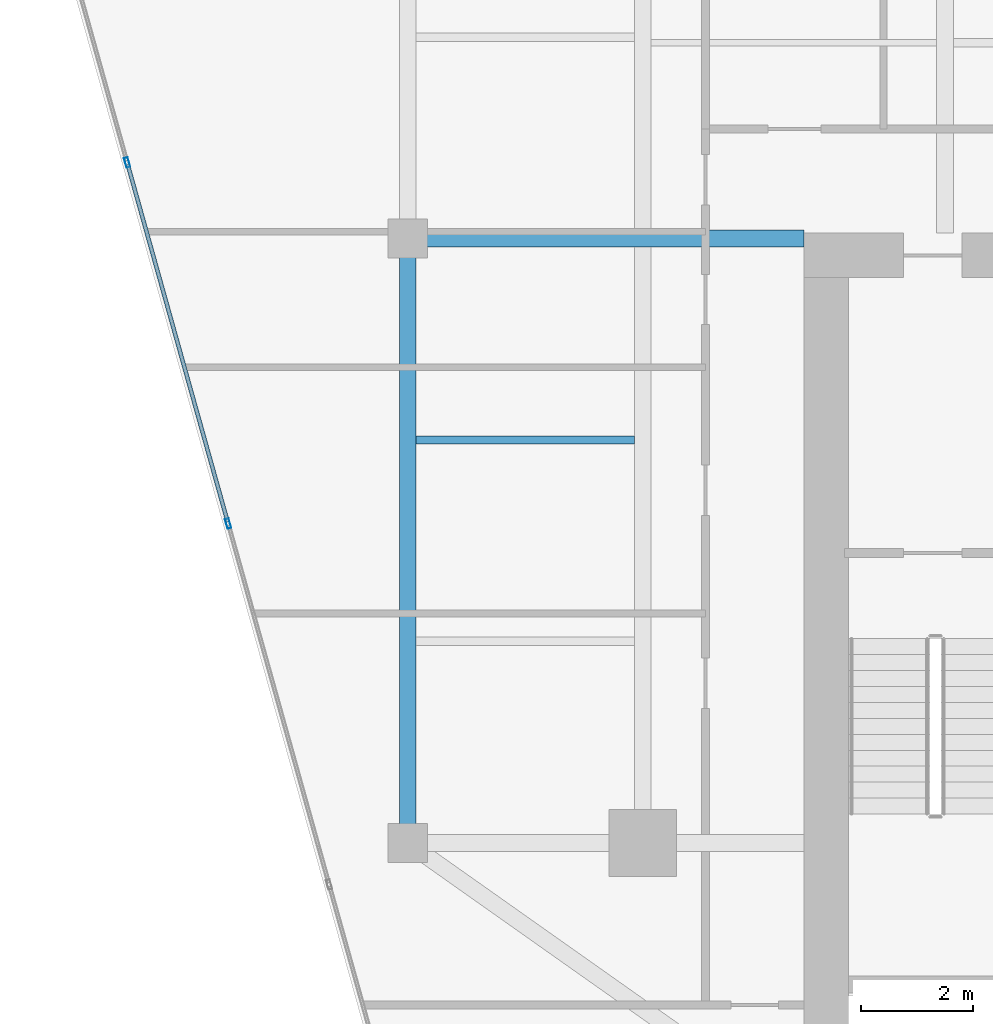
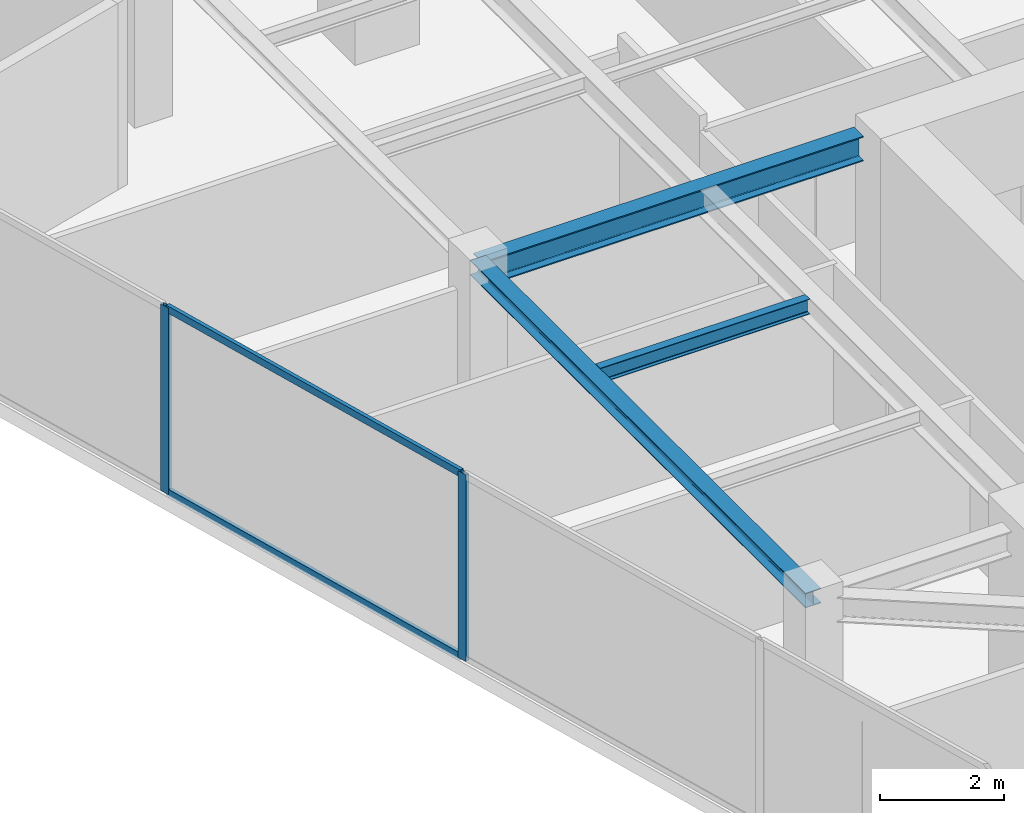
# One storey, part 5 of 21: 4 members, 3 beams, 1 element without a shape of its own.
"""IFC4 building model written with IfcOpenShell, lengths in metres."""

import ifcopenshell
import ifcopenshell.guid

model = None  # the IFC model being written
_history = None  # IfcOwnerHistory: only IFC2X3 demands one
_inside = {}  # id of a spatial element -> (the spatial element, [elements in it])
_under = {}  # id of a project, library or spatial element -> (it, [spatial elements below it])
_declared = {}  # id of a project -> (the project, [libraries it declares])
_typed = {}  # id of a type object -> (the type object, [elements of that type])
_made_of = {}  # id of a material, layer set ... -> (it, [elements and type objects made of it])


def new_model(schema):
    """Start an empty IFC model of exactly this schema.

    Asked for "IFC4X3", IfcOpenShell would pick the latest addendum, in which some entities
    have other attributes; the version numbers below select the first issue.
    IFC2X3 requires an IfcOwnerHistory on every rooted entity: one is made here for all.
    """
    global model, _history
    if schema == "IFC4X3":
        model = ifcopenshell.file(schema_version=(4, 3, 0, 0))
    else:
        model = ifcopenshell.file(schema=schema)
    _inside.clear()
    _under.clear()
    _declared.clear()
    _typed.clear()
    _made_of.clear()
    _history = None
    if model.schema == "IFC2X3":
        org = make("IfcOrganization", Name="unknown")
        user = make(
            "IfcPersonAndOrganization",
            ThePerson=make("IfcPerson", FamilyName="unknown"),
            TheOrganization=org,
        )
        app = make(
            "IfcApplication",
            ApplicationDeveloper=org,
            Version="unknown",
            ApplicationFullName="unknown",
            ApplicationIdentifier="unknown",
        )
        _history = make(
            "IfcOwnerHistory",
            OwningUser=user,
            OwningApplication=app,
            ChangeAction="ADDED",
            CreationDate=0,
        )
    return model


def make(cls, **values):
    """One entity of the class cls with the attributes given. An attribute that is None is left unset."""
    return model.create_entity(
        cls, **{name: value for name, value in values.items() if value is not None}
    )


def rooted(cls, **values):
    """An entity with a GlobalId (a new one), such as an element, a storey or a relation."""
    return make(cls, GlobalId=ifcopenshell.guid.new(), OwnerHistory=_history, **values)


def si_unit(unit_type, name, prefix=None):
    """IfcSIUnit, for example si_unit("LENGTHUNIT", "METRE", prefix="MILLI")."""
    return make("IfcSIUnit", UnitType=unit_type, Prefix=prefix, Name=name)


def assignment(units):
    """IfcUnitAssignment: the units of a project."""
    return None if units is None else make("IfcUnitAssignment", Units=units)


def point(xyz):
    """IfcCartesianPoint."""
    return None if xyz is None else make("IfcCartesianPoint", Coordinates=xyz)


def direction(xyz):
    """IfcDirection."""
    return None if xyz is None else make("IfcDirection", DirectionRatios=xyz)


def frame(location, z_axis=None, x_axis=None):
    """IfcAxis2Placement3D, a coordinate frame: its origin and axes. An axis left out is left unset."""
    return make(
        "IfcAxis2Placement3D",
        Location=point(location),
        Axis=direction(z_axis),
        RefDirection=direction(x_axis),
    )


def frame_2d(location, x_axis=None):
    """IfcAxis2Placement2D, a coordinate frame in the plane: its origin and x axis."""
    return make(
        "IfcAxis2Placement2D", Location=point(location), RefDirection=direction(x_axis)
    )


def origin():
    """The frame at (0, 0, 0) with its axes left unset."""
    return frame((0.0, 0.0, 0.0))


def origin_2d():
    """The frame at (0, 0) in the plane with its x axis left unset."""
    return frame_2d((0.0, 0.0))


def place(relative_to, where):
    """IfcLocalPlacement: puts the frame where relative to a parent placement (None: the world)."""
    return make(
        "IfcLocalPlacement", PlacementRelTo=relative_to, RelativePlacement=where
    )


def context(
    kind, dimensions, precision=None, world=None, true_north=None, identifier=None
):
    """IfcGeometricRepresentationContext, for example the 3D "Model" context."""
    return make(
        "IfcGeometricRepresentationContext",
        ContextIdentifier=identifier,
        ContextType=kind,
        CoordinateSpaceDimension=dimensions,
        Precision=precision,
        WorldCoordinateSystem=world,
        TrueNorth=true_north,
    )


def subcontext(parent, identifier, kind, view, scale=None):
    """IfcGeometricRepresentationSubContext, for example "Body" below "Model"."""
    return make(
        "IfcGeometricRepresentationSubContext",
        ContextIdentifier=identifier,
        ContextType=kind,
        ParentContext=parent,
        TargetScale=scale,
        TargetView=view,
    )


def project(units=None, contexts=None):
    """IfcProject with its units and contexts."""
    return rooted(
        "IfcProject",
        Name="project",
        RepresentationContexts=contexts,
        UnitsInContext=assignment(units),
    )


def spatial(cls, under=None, at=None, **own):
    """A site, building, storey or space (cls), placed at a placement, below another one or the project."""
    s = rooted(cls, ObjectPlacement=at, **own)
    if under is not None:
        _under.setdefault(under.id(), (under, []))[1].append(s)
    return s


def profile(cls, at=None, kind="AREA", **sizes):
    """A parametric profile (cls). Its sizes go by their IFC names, for example OverallWidth=200.0."""
    return make(cls, ProfileType=kind, Position=at, **sizes)


def hollow_rectangle(**sizes):
    """IfcRectangleHollowProfileDef."""
    return profile("IfcRectangleHollowProfileDef", **sizes)


def i_section(**sizes):
    """IfcIShapeProfileDef."""
    return profile("IfcIShapeProfileDef", **sizes)


def extrude(swept, where, along, depth):
    """IfcExtrudedAreaSolid: the profile swept, set in the frame where, extruded along a direction by depth."""
    return make(
        "IfcExtrudedAreaSolid",
        SweptArea=swept,
        Position=where,
        ExtrudedDirection=direction(along),
        Depth=depth,
    )


def shape(context_of_items, identifier, shape_type, items):
    """IfcShapeRepresentation: the items that make up one representation, for example the "Body"."""
    return make(
        "IfcShapeRepresentation",
        ContextOfItems=context_of_items,
        RepresentationIdentifier=identifier,
        RepresentationType=shape_type,
        Items=items,
    )


def source(mapping_origin, context_of_items, identifier, shape_type, items):
    """IfcRepresentationMap: a shape defined once, which mapped items show again and again."""
    return make(
        "IfcRepresentationMap",
        MappingOrigin=mapping_origin,
        MappedRepresentation=shape(context_of_items, identifier, shape_type, items),
    )


def transform(
    local_origin,
    x_axis=None,
    y_axis=None,
    z_axis=None,
    scale=None,
    scale2=None,
    scale3=None,
    uniform=True,
):
    """IfcCartesianTransformationOperator3D, or its non-uniform kind. x_axis, y_axis, z_axis: its Axis1, 2, 3."""
    if uniform:
        return make(
            "IfcCartesianTransformationOperator3D",
            Axis1=direction(x_axis),
            Axis2=direction(y_axis),
            LocalOrigin=point(local_origin),
            Scale=scale,
            Axis3=direction(z_axis),
        )
    return make(
        "IfcCartesianTransformationOperator3DnonUniform",
        Axis1=direction(x_axis),
        Axis2=direction(y_axis),
        LocalOrigin=point(local_origin),
        Scale=scale,
        Axis3=direction(z_axis),
        Scale2=scale2,
        Scale3=scale3,
    )


def mapped(mapping_source, mapping_target):
    """IfcMappedItem: shows the shape of a source again, moved by a transform."""
    return make(
        "IfcMappedItem", MappingSource=mapping_source, MappingTarget=mapping_target
    )


def material(Name=None, Category=None):
    """IfcMaterial."""
    return make("IfcMaterial", Name=Name, Category=Category)


def material_profile(
    of_material, cross_section, Name=None, Category=None, Priority=None
):
    """IfcMaterialProfile: a cross section and its material."""
    return make(
        "IfcMaterialProfile",
        Name=Name,
        Material=of_material,
        Profile=cross_section,
        Priority=Priority,
        Category=Category,
    )


def profile_set(profiles, Name=None, composite=None):
    """IfcMaterialProfileSet."""
    return make(
        "IfcMaterialProfileSet",
        Name=Name,
        MaterialProfiles=profiles,
        CompositeProfile=composite,
    )


def made_of(thing, what):
    """Note that an element or type object is made of a material, layer set ...; save() writes the relation."""
    if what is not None:
        _made_of.setdefault(what.id(), (what, []))[1].append(thing)
    return thing


def type_object(cls, material=None, **own):
    """A type object (cls), such as IfcWallType, which elements share."""
    return made_of(rooted(cls, **own), material)


def type_shapes(of_type, sources):
    """Give a type object the sources (RepresentationMaps) that its elements show as mapped items."""
    of_type.RepresentationMaps = sources


def element(
    cls,
    number,
    at=None,
    inside=None,
    cuts=None,
    type_object=None,
    material=None,
    context=None,
    identifier="Body",
    shape_type=None,
    held_by="IfcProductDefinitionShape",
    body=None,
    shapes=None,
    **own,
):
    """One element of the class cls, such as IfcWall. Its Tag is "e" and its number.

    at: its placement. inside: the storey or other place that contains it. cuts: it is an
    opening in that element (IfcRelVoidsElement). A single representation is given by context,
    identifier, shape_type and body (its items); several are given by shapes. held_by: the class
    of the entity that holds the representations. save() writes the other relations.
    """
    e = rooted(cls, Tag="e%d" % number, ObjectPlacement=at, **own)
    if body is not None:
        shapes = [shape(context, identifier, shape_type, body)]
    if shapes is not None:
        e.Representation = make(held_by, Representations=shapes)
    if inside is not None:
        _inside.setdefault(inside.id(), (inside, []))[1].append(e)
    if cuts is not None:
        rooted(
            "IfcRelVoidsElement", RelatingBuildingElement=cuts, RelatedOpeningElement=e
        )
    if type_object is not None:
        _typed.setdefault(type_object.id(), (type_object, []))[1].append(e)
    return made_of(e, material)


def aggregate(whole, parts):
    """IfcRelAggregates: a whole, such as a stair, and the parts it consists of."""
    return rooted("IfcRelAggregates", RelatingObject=whole, RelatedObjects=parts)


def save(model, path):
    """Write the relations noted so far, then the file.

    IfcRelAggregates (storeys below a building ...), IfcRelContainedInSpatialStructure (elements
    in a storey), IfcRelDefinesByType, IfcRelAssociatesMaterial and IfcRelDeclares: one each for
    every whole, place, type object, material and project.
    """
    for whole, parts in _under.values():
        aggregate(whole, parts)
    for where, things in _inside.values():
        rooted(
            "IfcRelContainedInSpatialStructure",
            RelatedElements=things,
            RelatingStructure=where,
        )
    for kind, things in _typed.values():
        rooted("IfcRelDefinesByType", RelatedObjects=things, RelatingType=kind)
    for what, things in _made_of.values():
        rooted("IfcRelAssociatesMaterial", RelatedObjects=things, RelatingMaterial=what)
    for by, libraries in _declared.values():
        rooted("IfcRelDeclares", RelatingContext=by, RelatedDefinitions=libraries)
    model.write(path)


model = new_model("IFC4")

# Units and contexts
model_context = context("Model", 3, precision=1e-05, world=origin(), true_north=direction((0.0, 1.0)))
body_context = subcontext(model_context, "Body", "Model", "MODEL_VIEW")
ifc_project = project(units=[si_unit("LENGTHUNIT", "METRE"), si_unit("AREAUNIT", "SQUARE_METRE"), si_unit("VOLUMEUNIT", "CUBIC_METRE"), si_unit("PLANEANGLEUNIT", "RADIAN"), si_unit("MASSUNIT", "GRAM", prefix="KILO")], contexts=[model_context])

# Site, building, storey
site_placement = place(None, origin())
site = spatial("IfcSite", under=ifc_project, at=site_placement, CompositionType="ELEMENT")
building_placement = place(site_placement, origin())
building = spatial("IfcBuilding", under=site, at=building_placement, Name="Krantzveldt Concourse Tower", CompositionType="ELEMENT")
storey_placement = place(building_placement, frame((0.0, 0.0, 347.449951171875)))
storey = spatial("IfcBuildingStorey", under=building, at=storey_placement, Name="L85", CompositionType="ELEMENT", Elevation=347.449951171875)

# Beams
ifc_material_1 = material(Name="Steel S355JR", Category="steel")
ifc_material_profile_1 = material_profile(ifc_material_1, i_section(OverallWidth=0.300048828125, OverallDepth=0.489990234375, WebThickness=0.011962890625, FlangeThickness=0.02294921875, FilletRadius=0.027099609375, at=origin_2d()), Name="Steel S355JR", Category="steel")
ifc_profile_set_1 = profile_set([ifc_material_profile_1], Name="Steel S355JR - HEA 500")
beam_type_1 = type_object("IfcBeamType", Name="BM-B-HEA500", PredefinedType="BEAM", material=ifc_profile_set_1)
shared_shape_1 = source(origin(), body_context, "Body", "SweptSolid", [
    extrude(i_section(OverallWidth=0.300048828125, OverallDepth=0.489990234375, WebThickness=0.011962890625, FlangeThickness=0.02294921875, FilletRadius=0.027099609375, at=origin_2d()), origin(), (0.0, 0.0, 1.0), 7.080078125),
])
type_shapes(beam_type_1, [shared_shape_1])
beam_1_placement = place(storey_placement, frame((21.0, 26.699951171875, 3.425048828125), z_axis=(1.0, 0.0, 0.0), x_axis=(0.0, 1.0, 0.0)))
element("IfcBeam", 1, at=beam_1_placement, inside=storey, type_object=beam_type_1, Name="L85 Tower Girder BG-CW2", PredefinedType="BEAM", context=body_context, shape_type="MappedRepresentation", body=[
    mapped(shared_shape_1, transform((0.0, 0.0, 0.0), x_axis=(1.0, 0.0, 0.0), y_axis=(0.0, 1.0, 0.0), z_axis=(0.0, 0.0, 1.0), scale=1.0)),
])
ifc_material_profile_2 = material_profile(ifc_material_1, i_section(OverallWidth=0.2900390625, OverallDepth=0.2900390625, WebThickness=0.008544921875, FlangeThickness=0.013916015625, FilletRadius=0.027099609375, at=origin_2d()), Name="Steel S355JR", Category="steel")
ifc_profile_set_2 = profile_set([ifc_material_profile_2], Name="Steel S355JR - HEA 300")
beam_type_2 = type_object("IfcBeamType", Name="BM-SP-HEA300", PredefinedType="SPANDREL", material=ifc_profile_set_2)
shared_shape_2 = source(origin(), body_context, "Body", "SweptSolid", [
    extrude(i_section(OverallWidth=0.2900390625, OverallDepth=0.2900390625, WebThickness=0.008544921875, FlangeThickness=0.013916015625, FilletRadius=0.027099609375, at=origin_2d()), origin(), (0.0, 0.0, 1.0), 10.800048828125),
])
type_shapes(beam_type_2, [shared_shape_2])
beam_2_placement = place(storey_placement, frame((21.0, 15.89990234375, 3.525146484375), z_axis=(0.0, 1.0, 0.0), x_axis=(-1.0, 0.0, 0.0)))
element("IfcBeam", 2, at=beam_2_placement, inside=storey, type_object=beam_type_2, Name="L85 Tower Girder SP-R01", PredefinedType="SPANDREL", context=body_context, shape_type="MappedRepresentation", body=[
    mapped(shared_shape_2, transform((0.0, 0.0, 0.0), x_axis=(1.0, 0.0, 0.0), y_axis=(0.0, 1.0, 0.0), z_axis=(0.0, 0.0, 1.0), scale=1.0)),
])
ifc_material_profile_3 = material_profile(ifc_material_1, i_section(OverallWidth=0.14990234375, OverallDepth=0.300048828125, WebThickness=0.007080078125, FlangeThickness=0.0107421875, FilletRadius=0.014892578125, at=origin_2d()), Name="Steel S355JR", Category="steel")
ifc_profile_set_3 = profile_set([ifc_material_profile_3], Name="Steel S355JR - IPE 300")
beam_type_3 = type_object("IfcBeamType", Name="BM-J-IPE300", PredefinedType="JOIST", material=ifc_profile_set_3)
shared_shape_3 = source(origin(), body_context, "Body", "SweptSolid", [
    extrude(i_section(OverallWidth=0.14990234375, OverallDepth=0.300048828125, WebThickness=0.007080078125, FlangeThickness=0.0107421875, FilletRadius=0.014892578125, at=origin_2d()), origin(), (0.0, 0.0, 1.0), 3.900146484375),
])
type_shapes(beam_type_3, [shared_shape_3])
beam_3_placement = place(storey_placement, frame((21.14990234375, 23.10009765625, 3.52001953125), z_axis=(1.0, 0.0, 0.0), x_axis=(0.0, 1.0, 0.0)))
element("IfcBeam", 3, at=beam_3_placement, inside=storey, type_object=beam_type_3, Name="L85 Secondary Floor Joist JW-2", PredefinedType="JOIST", context=body_context, shape_type="MappedRepresentation", body=[
    mapped(shared_shape_3, transform((0.0, 0.0, 0.0), x_axis=(1.0, 0.0, 0.0), y_axis=(0.0, 1.0, 0.0), z_axis=(0.0, 0.0, 1.0), scale=1.0)),
])

# Curtain wall, members
ifc_material_2 = material(Name="Anodised aluminium 6063-T6", Category="aluminium")
curtain_wall_type = type_object("IfcCurtainWallType", Name="CW4", PredefinedType="USERDEFINED", material=ifc_material_2)
curtain_wall_placement = place(storey_placement, origin())
curtain_wall = element("IfcCurtainWall", 4, at=curtain_wall_placement, inside=storey, type_object=curtain_wall_type, Name="CW-L85-F04", ObjectType="UNITISED CURTAIN WALL", PredefinedType="USERDEFINED")
ifc_material_profile_4 = material_profile(ifc_material_2, hollow_rectangle(XDim=0.070068359375, YDim=0.179931640625, WallThickness=0.0048828125, at=origin_2d()), Name="Anodised aluminium 6063-T6", Category="aluminium")
ifc_profile_set_4 = profile_set([ifc_material_profile_4], Name="Anodised aluminium 6063-T6 - ALU-MULL 180x70x5")
member_type_1 = type_object("IfcMemberType", Name="CW-MUL-180", PredefinedType="MULLION", material=ifc_profile_set_4)
shared_shape_4 = source(origin(), body_context, "Body", "SweptSolid", [
    extrude(hollow_rectangle(XDim=0.070068359375, YDim=0.179931640625, WallThickness=0.0048828125, at=origin_2d()), origin(), (0.0, 0.0, 1.0), 3.670166015625),
])
type_shapes(member_type_1, [shared_shape_4])
member_1_placement = place(storey_placement, frame((15.984130859375, 28.05908203125, 0.0), z_axis=(0.0, 0.0, 1.0), x_axis=(0.963045170968, 0.269339931454, 0.0)))
member_1 = element("IfcMember", 5, at=member_1_placement, type_object=member_type_1, Name="CW-Z56 mullion 2", PredefinedType="MULLION", context=body_context, shape_type="MappedRepresentation", body=[
    mapped(shared_shape_4, transform((0.0, 0.0, 0.0), x_axis=(1.0, 0.0, 0.0), y_axis=(0.0, 1.0, 0.0), z_axis=(0.0, 0.0, 1.0), scale=1.0)),
])
member_2_placement = place(storey_placement, frame((17.788818359375, 21.606689453125, 0.0), z_axis=(0.0, 0.0, 1.0), x_axis=(0.963045170968, 0.269339931454, 0.0)))
member_2 = element("IfcMember", 6, at=member_2_placement, type_object=member_type_1, Name="CW-Z56 mullion 3", PredefinedType="MULLION", context=body_context, shape_type="MappedRepresentation", body=[
    mapped(shared_shape_4, transform((0.0, 0.0, 0.0), x_axis=(1.0, 0.0, 0.0), y_axis=(0.0, 1.0, 0.0), z_axis=(0.0, 0.0, 1.0), scale=1.0)),
])
ifc_material_profile_5 = material_profile(ifc_material_2, hollow_rectangle(XDim=0.070068359375, YDim=0.139892578125, WallThickness=0.0048828125, at=origin_2d()), Name="Anodised aluminium 6063-T6", Category="aluminium")
ifc_profile_set_5 = profile_set([ifc_material_profile_5], Name="Anodised aluminium 6063-T6 - ALU-TRAN 140x70x5")
member_type_2 = type_object("IfcMemberType", Name="CW-TRN-150", PredefinedType="USERDEFINED", material=ifc_profile_set_5)
shared_shape_5 = source(origin(), body_context, "Body", "SweptSolid", [
    extrude(hollow_rectangle(XDim=0.070068359375, YDim=0.139892578125, WallThickness=0.0048828125, at=origin_2d()), origin(), (0.0, 0.0, 1.0), 6.6298828125),
])
type_shapes(member_type_2, [shared_shape_5])
member_3_placement = place(storey_placement, frame((15.99365234375, 28.025390625, 0.03515625), z_axis=(0.269328056819, -0.963048491931, 0.0), x_axis=(0.963048491931, 0.269328056819, 0.0)))
member_3 = element("IfcMember", 7, at=member_3_placement, type_object=member_type_2, Name="CW-Z56 transom 2.1", ObjectType="TRANSOM", PredefinedType="USERDEFINED", context=body_context, shape_type="MappedRepresentation", body=[
    mapped(shared_shape_5, transform((0.0, 0.0, 0.0), x_axis=(1.0, 0.0, 0.0), y_axis=(0.0, 1.0, 0.0), z_axis=(0.0, 0.0, 1.0), scale=1.0)),
])
member_4_placement = place(storey_placement, frame((15.99365234375, 28.025390625, 3.635009765625), z_axis=(0.269328056819, -0.963048491931, 0.0), x_axis=(0.963048491931, 0.269328056819, 0.0)))
member_4 = element("IfcMember", 8, at=member_4_placement, type_object=member_type_2, Name="CW-Z56 transom 2.2", ObjectType="TRANSOM", PredefinedType="USERDEFINED", context=body_context, shape_type="MappedRepresentation", body=[
    mapped(shared_shape_5, transform((0.0, 0.0, 0.0), x_axis=(1.0, 0.0, 0.0), y_axis=(0.0, 1.0, 0.0), z_axis=(0.0, 0.0, 1.0), scale=1.0)),
])
aggregate(curtain_wall, [member_1, member_2, member_3, member_4])

save(model, "model.ifc")
